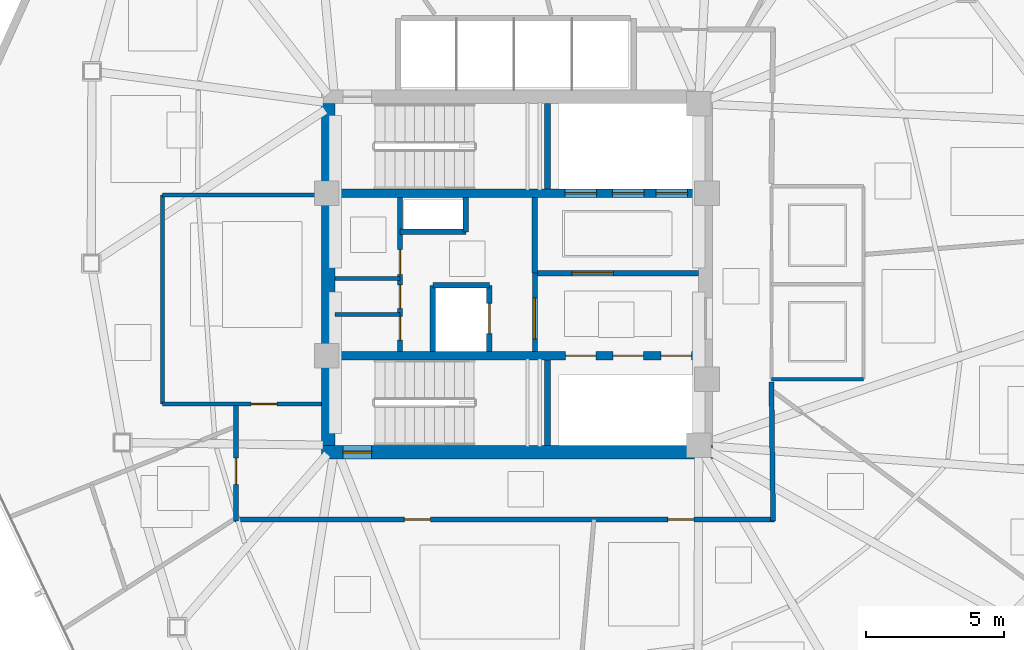
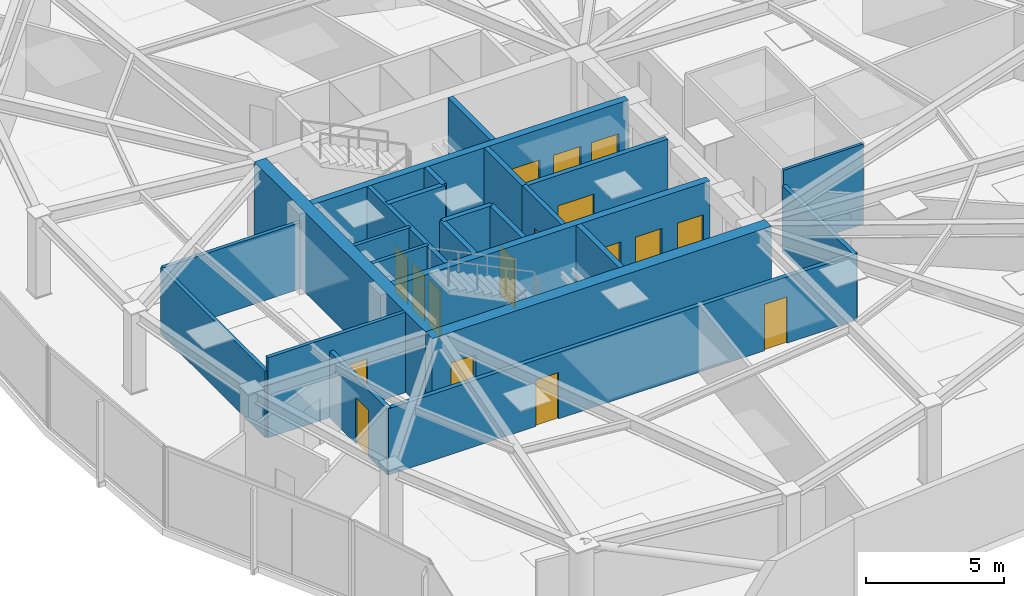
# One storey, part 11 of 17: 24 walls, 17 doors, 17 openings.
"""IFC4 building model written with IfcOpenShell, lengths in metres."""

from ifc_helpers import new_model, si_unit, direction, frame, frame_2d, origin, place, context, subcontext, project, spatial, rectangle, extrude, material, layer, layer_set, type_object, element, fill, save


model = new_model("IFC4")

# Units and contexts
model_context = context("Model", 3, precision=1e-05, world=origin(), true_north=direction((0.0, 1.0)))
body_context = subcontext(model_context, "Body", "Model", "MODEL_VIEW")
ifc_project = project(units=[si_unit("LENGTHUNIT", "METRE"), si_unit("AREAUNIT", "SQUARE_METRE"), si_unit("VOLUMEUNIT", "CUBIC_METRE"), si_unit("PLANEANGLEUNIT", "RADIAN"), si_unit("MASSUNIT", "GRAM", prefix="KILO")], contexts=[model_context])

# Site, building, storey
site_placement = place(None, origin())
site = spatial("IfcSite", under=ifc_project, at=site_placement, CompositionType="ELEMENT")
building_placement = place(site_placement, origin())
building = spatial("IfcBuilding", under=site, at=building_placement, Name="Tavelor Broadcast Tower", CompositionType="ELEMENT")
storey_placement = place(building_placement, frame((0.0, 0.0, 161.800048828125)))
storey = spatial("IfcBuildingStorey", under=building, at=storey_placement, Name="L38", CompositionType="ELEMENT", Elevation=161.800048828125)

# Wall, opening, door
ifc_material_1 = material(Name="Concrete C50/60", Category="concrete")
ifc_layer_1 = layer(ifc_material_1, 0.5)
ifc_layer_set_1 = layer_set([ifc_layer_1], Name="Concrete C50/60")
wall_type_1 = type_object("IfcWallType", Name="Core Shear Wall 500 mm", PredefinedType="SHEAR", material=ifc_layer_set_1)
wall_1_placement = place(storey_placement, frame((42.89990234375, 38.550048828125, 0.0), z_axis=(0.0, 0.0, 1.0), x_axis=(1.0, 0.0, 0.0)))
wall_1 = element("IfcWall", 1, at=wall_1_placement, inside=storey, type_object=wall_type_1, Name="L38 Central Core Shear Wall S", PredefinedType="SHEAR", context=body_context, shape_type="SweptSolid", body=[
    extrude(rectangle(XDim=14.2001953125, YDim=0.5, at=frame_2d((7.10009765625, 0.0))), origin(), (0.0, 0.0, 1.0), 3.550048828125),
])
opening_1_placement = place(wall_1_placement, frame((0.780029296875, 0.0, 0.0)))
opening_1 = element("IfcOpeningElement", 2, at=opening_1_placement, cuts=wall_1, Name="Opening DR11", PredefinedType="OPENING", context=body_context, shape_type="SweptSolid", body=[
    extrude(rectangle(XDim=1.050048828125, YDim=2.199951171875, at=frame_2d((0.52490234375, 1.10009765625))), frame((0.0, 0.260009765625, 0.0), z_axis=(0.0, -1.0, 0.0), x_axis=(1.0, 0.0, 0.0)), (0.0, 0.0, 1.0), 0.52001953125),
])
ifc_material_2 = material(Name="Steel S355", Category="steel")
door_type_1 = type_object("IfcDoorType", Name="Stair Core Fire Escape Door 1050x2200", OperationType="NOTDEFINED", PredefinedType="DOOR", material=ifc_material_2)
door_1_placement = place(opening_1_placement, origin())
door_1 = element("IfcDoor", 3, at=door_1_placement, inside=storey, type_object=door_type_1, Name="L38 Stair ST2 Protected Exit Door", OperationType="SINGLE_SWING_RIGHT", OverallHeight=2.199951171875, OverallWidth=1.050048828125, PredefinedType="DOOR", context=body_context, shape_type="SweptSolid", body=[
    extrude(rectangle(XDim=1.050048828125, YDim=2.199951171875, at=frame_2d((0.52490234375, 1.10009765625))), frame((0.0, 0.02490234375, 0.0), z_axis=(0.0, -1.0, 0.0), x_axis=(1.0, 0.0, 0.0)), (0.0, 0.0, 1.0), 0.050048828125),
])
fill(opening_1, door_1)

# Wall
wall_2_placement = place(storey_placement, frame((43.14990234375, 38.800048828125, 0.0), z_axis=(0.0, 0.0, 1.0), x_axis=(0.0, 1.0, 0.0)))
element("IfcWall", 4, at=wall_2_placement, inside=storey, type_object=wall_type_1, Name="L38 Central Core Shear Wall W", PredefinedType="SHEAR", context=body_context, shape_type="SweptSolid", body=[
    extrude(rectangle(XDim=12.39990234375, YDim=0.5, at=frame_2d((6.199951171875, 0.0))), origin(), (0.0, 0.0, 1.0), 3.550048828125),
])

# Wall, openings, doors
ifc_layer_2 = layer(ifc_material_1, 0.300048828125)
ifc_layer_set_2 = layer_set([ifc_layer_2], Name="Concrete C50/60")
wall_type_2 = type_object("IfcWallType", Name="Core Spine Shear Wall 300 mm C50", PredefinedType="SHEAR", material=ifc_layer_set_2)
wall_3_placement = place(storey_placement, frame((43.39990234375, 47.949951171875, 0.0), z_axis=(0.0, 0.0, 1.0), x_axis=(1.0, 0.0, 0.0)))
wall_3 = element("IfcWall", 5, at=wall_3_placement, inside=storey, type_object=wall_type_2, Name="L38 Central Core Shear Wall SP1", PredefinedType="SHEAR", context=body_context, shape_type="SweptSolid", body=[
    extrude(rectangle(XDim=13.2001953125, YDim=0.300048828125, at=frame_2d((6.60009765625, 0.0))), origin(), (0.0, 0.0, 1.0), 3.550048828125),
])
opening_2_placement = place(wall_3_placement, frame((8.344970703125, 0.0, 0.0)))
opening_2 = element("IfcOpeningElement", 6, at=opening_2_placement, cuts=wall_3, Name="Opening LD02", PredefinedType="OPENING", context=body_context, shape_type="SweptSolid", body=[
    extrude(rectangle(XDim=1.14990234375, YDim=2.199951171875, at=frame_2d((0.574951171875, 1.10009765625))), frame((0.0, 0.16015625, 0.0), z_axis=(0.0, -1.0, 0.0), x_axis=(1.0, 0.0, 0.0)), (0.0, 0.0, 1.0), 0.320068359375),
])
opening_3_placement = place(wall_3_placement, frame((10.06494140625, 0.0, 0.0)))
opening_3 = element("IfcOpeningElement", 7, at=opening_3_placement, cuts=wall_3, Name="Opening LD02", PredefinedType="OPENING", context=body_context, shape_type="SweptSolid", body=[
    extrude(rectangle(XDim=1.14990234375, YDim=2.199951171875, at=frame_2d((0.574951171875, 1.10009765625))), frame((0.0, 0.16015625, 0.0), z_axis=(0.0, -1.0, 0.0), x_axis=(1.0, 0.0, 0.0)), (0.0, 0.0, 1.0), 0.320068359375),
])
opening_4_placement = place(wall_3_placement, frame((11.64501953125, 0.0, 0.0)))
opening_4 = element("IfcOpeningElement", 8, at=opening_4_placement, cuts=wall_3, Name="Opening LD03", PredefinedType="OPENING", context=body_context, shape_type="SweptSolid", body=[
    extrude(rectangle(XDim=1.14990234375, YDim=2.199951171875, at=frame_2d((0.574951171875, 1.10009765625))), frame((0.0, 0.16015625, 0.0), z_axis=(0.0, -1.0, 0.0), x_axis=(1.0, 0.0, 0.0)), (0.0, 0.0, 1.0), 0.320068359375),
])
ifc_material_3 = material(Name="Reinforced Brushed Stainless Steel", Category="concrete")
door_type_2 = type_object("IfcDoorType", Name="Broadcast Goods Lift Sliding Landing Door 1250x2200", OperationType="NOTDEFINED", PredefinedType="DOOR", material=ifc_material_3)
door_2_placement = place(opening_4_placement, origin())
door_2 = element("IfcDoor", 9, at=door_2_placement, inside=storey, type_object=door_type_2, Name="L38 Lift SVL1 Sliding Landing Door", OperationType="SLIDING_TO_LEFT", OverallHeight=2.199951171875, OverallWidth=1.14990234375, PredefinedType="DOOR", context=body_context, shape_type="SweptSolid", body=[
    extrude(rectangle(XDim=1.14990234375, YDim=2.199951171875, at=frame_2d((0.574951171875, 1.10009765625))), frame((0.0, 0.02490234375, 0.0), z_axis=(0.0, -1.0, 0.0), x_axis=(1.0, 0.0, 0.0)), (0.0, 0.0, 1.0), 0.050048828125),
])
fill(opening_4, door_2)
ifc_material_4 = material(Name="Fire-Rated Stainless Steel", Category="steel")
door_type_3 = type_object("IfcDoorType", Name="Firefighting Lift Sliding Landing Door 1200x2200", OperationType="NOTDEFINED", PredefinedType="DOOR", material=ifc_material_4)
door_3_placement = place(opening_2_placement, origin())
door_3 = element("IfcDoor", 10, at=door_3_placement, inside=storey, type_object=door_type_3, Name="L38 Lift FFL1 Sliding Landing Door", OperationType="SLIDING_TO_LEFT", OverallHeight=2.199951171875, OverallWidth=1.14990234375, PredefinedType="DOOR", context=body_context, shape_type="SweptSolid", body=[
    extrude(rectangle(XDim=1.14990234375, YDim=2.199951171875, at=frame_2d((0.574951171875, 1.10009765625))), frame((0.0, 0.02490234375, 0.0), z_axis=(0.0, -1.0, 0.0), x_axis=(1.0, 0.0, 0.0)), (0.0, 0.0, 1.0), 0.050048828125),
])
fill(opening_2, door_3)
door_4_placement = place(opening_3_placement, origin())
door_4 = element("IfcDoor", 11, at=door_4_placement, inside=storey, type_object=door_type_3, Name="L38 Lift FFL2 Sliding Landing Door", OperationType="SLIDING_TO_LEFT", OverallHeight=2.199951171875, OverallWidth=1.14990234375, PredefinedType="DOOR", context=body_context, shape_type="SweptSolid", body=[
    extrude(rectangle(XDim=1.14990234375, YDim=2.199951171875, at=frame_2d((0.574951171875, 1.10009765625))), frame((0.0, 0.02490234375, 0.0), z_axis=(0.0, -1.0, 0.0), x_axis=(1.0, 0.0, 0.0)), (0.0, 0.0, 1.0), 0.050048828125),
])
fill(opening_3, door_4)

wall_4_placement = place(storey_placement, frame((43.39990234375, 42.050048828125, 0.0), z_axis=(0.0, 0.0, 1.0), x_axis=(1.0, 0.0, 0.0)))
wall_4 = element("IfcWall", 12, at=wall_4_placement, inside=storey, type_object=wall_type_2, Name="L38 Central Core Shear Wall SP2", PredefinedType="SHEAR", context=body_context, shape_type="SweptSolid", body=[
    extrude(rectangle(XDim=13.2001953125, YDim=0.300048828125, at=frame_2d((6.60009765625, 0.0))), origin(), (0.0, 0.0, 1.0), 3.550048828125),
])
opening_5_placement = place(wall_4_placement, frame((8.3701171875, 0.0, 0.0)))
opening_5 = element("IfcOpeningElement", 13, at=opening_5_placement, cuts=wall_4, Name="Opening LD01", PredefinedType="OPENING", context=body_context, shape_type="SweptSolid", body=[
    extrude(rectangle(XDim=1.10009765625, YDim=2.14990234375, at=frame_2d((0.550048828125, 1.074951171875))), frame((0.0, 0.16015625, 0.0), z_axis=(0.0, -1.0, 0.0), x_axis=(1.0, 0.0, 0.0)), (0.0, 0.0, 1.0), 0.320068359375),
])
opening_6_placement = place(wall_4_placement, frame((10.090087890625, 0.0, 0.0)))
opening_6 = element("IfcOpeningElement", 14, at=opening_6_placement, cuts=wall_4, Name="Opening LD01", PredefinedType="OPENING", context=body_context, shape_type="SweptSolid", body=[
    extrude(rectangle(XDim=1.10009765625, YDim=2.14990234375, at=frame_2d((0.550048828125, 1.074951171875))), frame((0.0, 0.16015625, 0.0), z_axis=(0.0, -1.0, 0.0), x_axis=(1.0, 0.0, 0.0)), (0.0, 0.0, 1.0), 0.320068359375),
])
opening_7_placement = place(wall_4_placement, frame((11.830078125, 0.0, 0.0)))
opening_7 = element("IfcOpeningElement", 15, at=opening_7_placement, cuts=wall_4, Name="Opening LD01", PredefinedType="OPENING", context=body_context, shape_type="SweptSolid", body=[
    extrude(rectangle(XDim=1.10009765625, YDim=2.14990234375, at=frame_2d((0.550048828125, 1.074951171875))), frame((0.0, 0.16015625, 0.0), z_axis=(0.0, -1.0, 0.0), x_axis=(1.0, 0.0, 0.0)), (0.0, 0.0, 1.0), 0.320068359375),
])
ifc_material_5 = material(Name="Brushed Stainless Steel", Category="steel")
door_type_4 = type_object("IfcDoorType", Name="Passenger Lift Sliding Landing Door 1100x2150", OperationType="NOTDEFINED", PredefinedType="DOOR", material=ifc_material_5)
door_5_placement = place(opening_5_placement, origin())
door_5 = element("IfcDoor", 16, at=door_5_placement, inside=storey, type_object=door_type_4, Name="L38 Lift PLM1 Sliding Landing Door", OperationType="SLIDING_TO_LEFT", OverallHeight=2.14990234375, OverallWidth=1.10009765625, PredefinedType="DOOR", context=body_context, shape_type="SweptSolid", body=[
    extrude(rectangle(XDim=1.10009765625, YDim=2.14990234375, at=frame_2d((0.550048828125, 1.074951171875))), frame((0.0, 0.02490234375, 0.0), z_axis=(0.0, -1.0, 0.0), x_axis=(1.0, 0.0, 0.0)), (0.0, 0.0, 1.0), 0.050048828125),
])
fill(opening_5, door_5)
door_6_placement = place(opening_6_placement, origin())
door_6 = element("IfcDoor", 17, at=door_6_placement, inside=storey, type_object=door_type_4, Name="L38 Lift PLM2 Sliding Landing Door", OperationType="SLIDING_TO_LEFT", OverallHeight=2.14990234375, OverallWidth=1.10009765625, PredefinedType="DOOR", context=body_context, shape_type="SweptSolid", body=[
    extrude(rectangle(XDim=1.10009765625, YDim=2.14990234375, at=frame_2d((0.550048828125, 1.074951171875))), frame((0.0, 0.02490234375, 0.0), z_axis=(0.0, -1.0, 0.0), x_axis=(1.0, 0.0, 0.0)), (0.0, 0.0, 1.0), 0.050048828125),
])
fill(opening_6, door_6)
door_7_placement = place(opening_7_placement, origin())
door_7 = element("IfcDoor", 18, at=door_7_placement, inside=storey, type_object=door_type_4, Name="L38 Lift PLM3 Sliding Landing Door", OperationType="SLIDING_TO_LEFT", OverallHeight=2.14990234375, OverallWidth=1.10009765625, PredefinedType="DOOR", context=body_context, shape_type="SweptSolid", body=[
    extrude(rectangle(XDim=1.10009765625, YDim=2.14990234375, at=frame_2d((0.550048828125, 1.074951171875))), frame((0.0, 0.02490234375, 0.0), z_axis=(0.0, -1.0, 0.0), x_axis=(1.0, 0.0, 0.0)), (0.0, 0.0, 1.0), 0.050048828125),
])
fill(opening_7, door_7)

# Wall, opening, door
ifc_material_6 = material(Name="Calcium Silicate Fire Board 180 mm", Category="gypsum")
ifc_layer_3 = layer(ifc_material_6, 0.179931640625)
ifc_layer_set_3 = layer_set([ifc_layer_3], Name="Calcium Silicate Fire Board 180 mm")
wall_type_3 = type_object("IfcWallType", Name="Fire-Rated Corridor Partition Wall 180 mm", PredefinedType="PARTITIONING", material=ifc_layer_set_3)
wall_5_placement = place(storey_placement, frame((50.64990234375, 42.199951171875, 0.0), z_axis=(0.0, 0.0, 1.0), x_axis=(0.0, 1.0, 0.0)))
wall_5 = element("IfcWall", 19, at=wall_5_placement, inside=storey, type_object=wall_type_3, Name="L38 Core Lobby Zoning Wall", PredefinedType="PARTITIONING", context=body_context, shape_type="SweptSolid", body=[
    extrude(rectangle(XDim=2.85009765625, YDim=0.179931640625, at=frame_2d((1.425048828125, 0.0))), origin(), (0.0, 0.0, 1.0), 3.550048828125),
])
opening_8_placement = place(wall_5_placement, frame((0.449951171875, 0.0, 0.0)))
opening_8 = element("IfcOpeningElement", 20, at=opening_8_placement, cuts=wall_5, Name="Opening DR14", PredefinedType="OPENING", context=body_context, shape_type="SweptSolid", body=[
    extrude(rectangle(XDim=1.5, YDim=2.199951171875, at=frame_2d((0.75, 1.10009765625))), frame((0.0, 0.10009765625, 0.0), z_axis=(0.0, -1.0, 0.0), x_axis=(1.0, 0.0, 0.0)), (0.0, 0.0, 1.0), 0.199951171875),
])
door_type_5 = type_object("IfcDoorType", Name="Firefighting Lobby Double Fire Door 1500x2200", OperationType="NOTDEFINED", PredefinedType="DOOR", material=ifc_material_2)
door_8_placement = place(opening_8_placement, origin())
door_8 = element("IfcDoor", 21, at=door_8_placement, inside=storey, type_object=door_type_5, Name="L38 Core West Lobby Double Fire Door", OperationType="SINGLE_SWING_LEFT", OverallHeight=2.199951171875, OverallWidth=1.5, PredefinedType="DOOR", context=body_context, shape_type="SweptSolid", body=[
    extrude(rectangle(XDim=1.5, YDim=2.199951171875, at=frame_2d((0.75, 1.10009765625))), frame((0.0, 0.02490234375, 0.0), z_axis=(0.0, -1.0, 0.0), x_axis=(1.0, 0.0, 0.0)), (0.0, 0.0, 1.0), 0.050048828125),
])
fill(opening_8, door_8)

# Wall, openings, doors
wall_6_placement = place(storey_placement, frame((45.75, 42.199951171875, 0.0), z_axis=(0.0, 0.0, 1.0), x_axis=(0.0, 1.0, 0.0)))
wall_6 = element("IfcWall", 22, at=wall_6_placement, inside=storey, type_object=wall_type_3, Name="L38 Core West Service East Wall", PredefinedType="PARTITIONING", context=body_context, shape_type="SweptSolid", body=[
    extrude(rectangle(XDim=5.60009765625, YDim=0.179931640625, at=frame_2d((2.800048828125, 0.0))), origin(), (0.0, 0.0, 1.0), 3.550048828125),
])
opening_9_placement = place(wall_6_placement, frame((0.419921875, 0.0, 0.0)))
opening_9 = element("IfcOpeningElement", 23, at=opening_9_placement, cuts=wall_6, Name="Opening DR36", PredefinedType="OPENING", context=body_context, shape_type="SweptSolid", body=[
    extrude(rectangle(XDim=0.85009765625, YDim=2.050048828125, at=frame_2d((0.425048828125, 1.02490234375))), frame((0.0, 0.10009765625, 0.0), z_axis=(0.0, -1.0, 0.0), x_axis=(1.0, 0.0, 0.0)), (0.0, 0.0, 1.0), 0.199951171875),
])
opening_10_placement = place(wall_6_placement, frame((1.570068359375, 0.0, 0.0)))
opening_10 = element("IfcOpeningElement", 24, at=opening_10_placement, cuts=wall_6, Name="Opening DR36", PredefinedType="OPENING", context=body_context, shape_type="SweptSolid", body=[
    extrude(rectangle(XDim=0.85009765625, YDim=2.050048828125, at=frame_2d((0.425048828125, 1.02490234375))), frame((0.0, 0.10009765625, 0.0), z_axis=(0.0, -1.0, 0.0), x_axis=(1.0, 0.0, 0.0)), (0.0, 0.0, 1.0), 0.199951171875),
])
opening_11_placement = place(wall_6_placement, frame((2.800048828125, 0.0, 0.0)))
opening_11 = element("IfcOpeningElement", 25, at=opening_11_placement, cuts=wall_6, Name="Opening DR32", PredefinedType="OPENING", context=body_context, shape_type="SweptSolid", body=[
    extrude(rectangle(XDim=0.89990234375, YDim=2.050048828125, at=frame_2d((0.449951171875, 1.02490234375))), frame((0.0, 0.10009765625, 0.0), z_axis=(0.0, -1.0, 0.0), x_axis=(1.0, 0.0, 0.0)), (0.0, 0.0, 1.0), 0.199951171875),
])
ifc_material_7 = material(Name="Timber Solid Core Hardwood", Category="wood")
door_type_6 = type_object("IfcDoorType", Name="Accessible Washroom Door 900x2050", OperationType="NOTDEFINED", PredefinedType="DOOR", material=ifc_material_7)
door_9_placement = place(opening_11_placement, origin())
door_9 = element("IfcDoor", 26, at=door_9_placement, inside=storey, type_object=door_type_6, Name="L38 Core Accessible WC Door", OperationType="SINGLE_SWING_LEFT", OverallHeight=2.050048828125, OverallWidth=0.89990234375, PredefinedType="DOOR", context=body_context, shape_type="SweptSolid", body=[
    extrude(rectangle(XDim=0.89990234375, YDim=2.050048828125, at=frame_2d((0.449951171875, 1.02490234375))), frame((0.0, 0.02490234375, 0.0), z_axis=(0.0, -1.0, 0.0), x_axis=(1.0, 0.0, 0.0)), (0.0, 0.0, 1.0), 0.050048828125),
])
fill(opening_11, door_9)
door_type_7 = type_object("IfcDoorType", Name="Service Room Fire Door 850x2050", OperationType="NOTDEFINED", PredefinedType="DOOR", material=ifc_material_2)
door_10_placement = place(opening_9_placement, origin())
door_10 = element("IfcDoor", 27, at=door_10_placement, inside=storey, type_object=door_type_7, Name="L38 Core Medical Room Door", OperationType="SINGLE_SWING_LEFT", OverallHeight=2.050048828125, OverallWidth=0.85009765625, PredefinedType="DOOR", context=body_context, shape_type="SweptSolid", body=[
    extrude(rectangle(XDim=0.85009765625, YDim=2.050048828125, at=frame_2d((0.425048828125, 1.02490234375))), frame((0.0, 0.02490234375, 0.0), z_axis=(0.0, -1.0, 0.0), x_axis=(1.0, 0.0, 0.0)), (0.0, 0.0, 1.0), 0.050048828125),
])
fill(opening_9, door_10)
door_11_placement = place(opening_10_placement, origin())
door_11 = element("IfcDoor", 28, at=door_11_placement, inside=storey, type_object=door_type_7, Name="L38 Core Copy Room Door", OperationType="SINGLE_SWING_RIGHT", OverallHeight=2.050048828125, OverallWidth=0.85009765625, PredefinedType="DOOR", context=body_context, shape_type="SweptSolid", body=[
    extrude(rectangle(XDim=0.85009765625, YDim=2.050048828125, at=frame_2d((0.425048828125, 1.02490234375))), frame((0.0, 0.02490234375, 0.0), z_axis=(0.0, -1.0, 0.0), x_axis=(1.0, 0.0, 0.0)), (0.0, 0.0, 1.0), 0.050048828125),
])
fill(opening_10, door_11)

# Wall
wall_7_placement = place(storey_placement, frame((59.240478515625, 41.10009765625, 0.0), z_axis=(0.0, 0.0, 1.0), x_axis=(0.011891834917, -0.999929289631, 0.0)))
element("IfcWall", 29, at=wall_7_placement, inside=storey, type_object=wall_type_3, Name="L38 Corridor Compartment Wall 03", PredefinedType="PARTITIONING", context=body_context, shape_type="SweptSolid", body=[
    extrude(rectangle(XDim=5.05029296875, YDim=0.179931640625, at=frame_2d((2.525146484375, 0.0))), origin(), (0.0, 0.0, 1.0), 2.93505859375),
])

# Wall, openings, doors
wall_8_placement = place(storey_placement, frame((59.35009765625, 36.10009765625, 0.0), z_axis=(0.0, 0.0, 1.0), x_axis=(-1.0, 0.0, 0.0)))
wall_8 = element("IfcWall", 30, at=wall_8_placement, inside=storey, type_object=wall_type_3, Name="L38 Corridor Compartment Wall 04", PredefinedType="PARTITIONING", context=body_context, shape_type="SweptSolid", body=[
    extrude(rectangle(XDim=19.60009765625, YDim=0.179931640625, at=frame_2d((9.800048828125, 0.0))), origin(), (0.0, 0.0, 1.0), 2.93505859375),
])
opening_12_placement = place(wall_8_placement, frame((2.923095703125, 0.0, 0.0)))
opening_12 = element("IfcOpeningElement", 31, at=opening_12_placement, cuts=wall_8, Name="Opening DR18", PredefinedType="OPENING", context=body_context, shape_type="SweptSolid", body=[
    extrude(rectangle(XDim=0.949951171875, YDim=2.050048828125, at=frame_2d((0.47509765625, 1.02490234375))), frame((0.0, 0.10009765625, 0.0), z_axis=(0.0, -1.0, 0.0), x_axis=(1.0, 0.0, 0.0)), (0.0, 0.0, 1.0), 0.199951171875),
])
opening_13_placement = place(wall_8_placement, frame((12.48779296875, 0.0, 0.0)))
opening_13 = element("IfcOpeningElement", 32, at=opening_13_placement, cuts=wall_8, Name="Opening DR18", PredefinedType="OPENING", context=body_context, shape_type="SweptSolid", body=[
    extrude(rectangle(XDim=0.949951171875, YDim=2.050048828125, at=frame_2d((0.47509765625, 1.02490234375))), frame((0.0, 0.10009765625, 0.0), z_axis=(0.0, -1.0, 0.0), x_axis=(1.0, 0.0, 0.0)), (0.0, 0.0, 1.0), 0.199951171875),
])
door_type_8 = type_object("IfcDoorType", Name="Corridor Rated Compartment Door 950x2050", OperationType="NOTDEFINED", PredefinedType="DOOR", material=ifc_material_7)
door_12_placement = place(opening_12_placement, origin())
door_12 = element("IfcDoor", 33, at=door_12_placement, inside=storey, type_object=door_type_8, Name="L38 Broadcast Script Study Door R0", OperationType="SINGLE_SWING_LEFT", OverallHeight=2.050048828125, OverallWidth=0.949951171875, PredefinedType="DOOR", context=body_context, shape_type="SweptSolid", body=[
    extrude(rectangle(XDim=0.949951171875, YDim=2.050048828125, at=frame_2d((0.47509765625, 1.02490234375))), frame((0.0, 0.02490234375, 0.0), z_axis=(0.0, -1.0, 0.0), x_axis=(1.0, 0.0, 0.0)), (0.0, 0.0, 1.0), 0.050048828125),
])
fill(opening_12, door_12)
door_13_placement = place(opening_13_placement, origin())
door_13 = element("IfcDoor", 34, at=door_13_placement, inside=storey, type_object=door_type_8, Name="L38 Executive Reading Study Door R1", OperationType="SINGLE_SWING_RIGHT", OverallHeight=2.050048828125, OverallWidth=0.949951171875, PredefinedType="DOOR", context=body_context, shape_type="SweptSolid", body=[
    extrude(rectangle(XDim=0.949951171875, YDim=2.050048828125, at=frame_2d((0.47509765625, 1.02490234375))), frame((0.0, 0.02490234375, 0.0), z_axis=(0.0, -1.0, 0.0), x_axis=(1.0, 0.0, 0.0)), (0.0, 0.0, 1.0), 0.050048828125),
])
fill(opening_13, door_13)

# Wall, opening, door
wall_9_placement = place(storey_placement, frame((39.800048828125, 36.050048828125, 0.0), z_axis=(0.0, 0.0, 1.0), x_axis=(0.0, 1.0, 0.0)))
wall_9 = element("IfcWall", 35, at=wall_9_placement, inside=storey, type_object=wall_type_3, Name="L38 Corridor Compartment Wall 05", PredefinedType="PARTITIONING", context=body_context, shape_type="SweptSolid", body=[
    extrude(rectangle(XDim=4.199951171875, YDim=0.179931640625, at=frame_2d((2.10009765625, 0.0))), origin(), (0.0, 0.0, 1.0), 2.93505859375),
])
opening_14_placement = place(wall_9_placement, frame((1.3330078125, 0.0, 0.0)))
opening_14 = element("IfcOpeningElement", 36, at=opening_14_placement, cuts=wall_9, Name="Opening DR18", PredefinedType="OPENING", context=body_context, shape_type="SweptSolid", body=[
    extrude(rectangle(XDim=0.949951171875, YDim=2.050048828125, at=frame_2d((0.47509765625, 1.02490234375))), frame((0.0, 0.10009765625, 0.0), z_axis=(0.0, -1.0, 0.0), x_axis=(1.0, 0.0, 0.0)), (0.0, 0.0, 1.0), 0.199951171875),
])
door_14_placement = place(opening_14_placement, origin())
door_14 = element("IfcDoor", 37, at=door_14_placement, inside=storey, type_object=door_type_8, Name="L38 International Bureau Office Door R8", OperationType="SINGLE_SWING_LEFT", OverallHeight=2.050048828125, OverallWidth=0.949951171875, PredefinedType="DOOR", context=body_context, shape_type="SweptSolid", body=[
    extrude(rectangle(XDim=0.949951171875, YDim=2.050048828125, at=frame_2d((0.47509765625, 1.02490234375))), frame((0.0, 0.02490234375, 0.0), z_axis=(0.0, -1.0, 0.0), x_axis=(1.0, 0.0, 0.0)), (0.0, 0.0, 1.0), 0.050048828125),
])
fill(opening_14, door_14)

# Walls
ifc_material_8 = material(Name="Gypsum Acoustic Plasterboard 150 mm", Category="gypsum")
ifc_layer_4 = layer(ifc_material_8, 0.14990234375)
ifc_layer_set_4 = layer_set([ifc_layer_4], Name="Gypsum Acoustic Plasterboard 150 mm")
wall_type_4 = type_object("IfcWallType", Name="Interior Acoustic Partition Wall 150 mm", PredefinedType="PARTITIONING", material=ifc_layer_set_4)
for number, where, z_axis, x_axis, name in (
    (38, (43.39990234375, 43.550048828125, 0.0), (0.0, 0.0, 1.0), (1.0, 0.0, 0.0), "L38 Core Split Wall B1"),
    (39, (43.39990234375, 44.85009765625, 0.0), (0.0, 0.0, 1.0), (1.0, 0.0, 0.0), "L38 Core Split Wall B2"),
):
    element("IfcWall", number, at=place(storey_placement, frame(where, z_axis=z_axis, x_axis=x_axis)), inside=storey, type_object=wall_type_4, Name=name, PredefinedType="PARTITIONING", context=body_context, shape_type="SweptSolid", body=[
        extrude(rectangle(XDim=2.35009765625, YDim=0.14990234375, at=frame_2d((1.175048828125, 0.0))), origin(), (0.0, 0.0, 1.0), 3.550048828125),
    ])

# Wall, opening, door
wall_10_placement = place(storey_placement, frame((37.139892578125, 40.300048828125, 0.0), z_axis=(0.0, 0.0, 1.0), x_axis=(1.0, 0.0, 0.0)))
wall_10 = element("IfcWall", 40, at=wall_10_placement, inside=storey, type_object=wall_type_4, Name="L38 Reclaimed Shaft Pantry South Wall", PredefinedType="PARTITIONING", context=body_context, shape_type="SweptSolid", body=[
    extrude(rectangle(XDim=5.760009765625, YDim=0.14990234375, at=frame_2d((2.8798828125, 0.0))), origin(), (0.0, 0.0, 1.0), 3.550048828125),
])
opening_15_placement = place(wall_10_placement, frame((3.2099609375, 0.0, 0.0)))
opening_15 = element("IfcOpeningElement", 41, at=opening_15_placement, cuts=wall_10, Name="Opening DR18", PredefinedType="OPENING", context=body_context, shape_type="SweptSolid", body=[
    extrude(rectangle(XDim=0.949951171875, YDim=2.050048828125, at=frame_2d((0.47509765625, 1.02490234375))), frame((0.0, 0.0849609375, 0.0), z_axis=(0.0, -1.0, 0.0), x_axis=(1.0, 0.0, 0.0)), (0.0, 0.0, 1.0), 0.169921875),
])
door_15_placement = place(opening_15_placement, origin())
door_15 = element("IfcDoor", 42, at=door_15_placement, inside=storey, type_object=door_type_8, Name="L38 Broadcast IT Patch and Pantry Door", OperationType="SINGLE_SWING_LEFT", OverallHeight=2.050048828125, OverallWidth=0.949951171875, PredefinedType="DOOR", context=body_context, shape_type="SweptSolid", body=[
    extrude(rectangle(XDim=0.949951171875, YDim=2.050048828125, at=frame_2d((0.47509765625, 1.02490234375))), frame((0.0, 0.02490234375, 0.0), z_axis=(0.0, -1.0, 0.0), x_axis=(1.0, 0.0, 0.0)), (0.0, 0.0, 1.0), 0.050048828125),
])
fill(opening_15, door_15)

# Walls
wall_11_placement = place(storey_placement, frame((37.139892578125, 40.300048828125, 0.0), z_axis=(0.0, 0.0, 1.0), x_axis=(0.0, 1.0, 0.0)))
element("IfcWall", 43, at=wall_11_placement, inside=storey, type_object=wall_type_4, Name="L38 Reclaimed Shaft Pantry West Wall", PredefinedType="PARTITIONING", context=body_context, shape_type="SweptSolid", body=[
    extrude(rectangle(XDim=7.579833984375, YDim=0.14990234375, at=frame_2d((3.7900390625, 0.0))), origin(), (0.0, 0.0, 1.0), 2.93505859375),
])
wall_12_placement = place(storey_placement, frame((37.139892578125, 47.8798828125, 0.0), z_axis=(0.0, 0.0, 1.0), x_axis=(1.0, 0.0, 0.0)))
element("IfcWall", 44, at=wall_12_placement, inside=storey, type_object=wall_type_4, Name="L38 Reclaimed Shaft Pantry North Wall", PredefinedType="PARTITIONING", context=body_context, shape_type="SweptSolid", body=[
    extrude(rectangle(XDim=5.760009765625, YDim=0.14990234375, at=frame_2d((2.8798828125, 0.0))), origin(), (0.0, 0.0, 1.0), 2.93505859375),
])

# Wall, opening, door
ifc_material_9 = material(Name="Concrete Blockwork 200 mm", Category="masonry")
ifc_layer_5 = layer(ifc_material_9, 0.199951171875)
ifc_layer_set_5 = layer_set([ifc_layer_5], Name="Concrete Blockwork 200 mm")
wall_type_5 = type_object("IfcWallType", Name="Lift Hoistway Rated Front Wall 200 mm", PredefinedType="PARTITIONING", material=ifc_layer_set_5)
wall_13_placement = place(storey_placement, frame((49.0, 42.199951171875, 0.0), z_axis=(0.0, 0.0, 1.0), x_axis=(0.0, 1.0, 0.0)))
wall_13 = element("IfcWall", 45, at=wall_13_placement, inside=storey, type_object=wall_type_5, Name="L38 Mid-Rise Lift PLM4 Hoistway Front Wall", PredefinedType="PARTITIONING", context=body_context, shape_type="SweptSolid", body=[
    extrude(rectangle(XDim=2.400146484375, YDim=0.199951171875, at=frame_2d((1.2001953125, 0.0))), origin(), (0.0, 0.0, 1.0), 3.550048828125),
])
opening_16_placement = place(wall_13_placement, frame((0.64990234375, 0.0, 0.0)))
opening_16 = element("IfcOpeningElement", 46, at=opening_16_placement, cuts=wall_13, Name="Opening LD01", PredefinedType="OPENING", context=body_context, shape_type="SweptSolid", body=[
    extrude(rectangle(XDim=1.10009765625, YDim=2.14990234375, at=frame_2d((0.550048828125, 1.074951171875))), frame((0.0, 0.10986328125, 0.0), z_axis=(0.0, -1.0, 0.0), x_axis=(1.0, 0.0, 0.0)), (0.0, 0.0, 1.0), 0.219970703125),
])
door_16_placement = place(opening_16_placement, origin())
door_16 = element("IfcDoor", 47, at=door_16_placement, inside=storey, type_object=door_type_4, Name="L38 Lift PLM4 Sliding Landing Door", OperationType="SLIDING_TO_RIGHT", OverallHeight=2.14990234375, OverallWidth=1.10009765625, PredefinedType="DOOR", context=body_context, shape_type="SweptSolid", body=[
    extrude(rectangle(XDim=1.10009765625, YDim=2.14990234375, at=frame_2d((0.550048828125, 1.074951171875))), frame((0.0, 0.02490234375, 0.0), z_axis=(0.0, -1.0, 0.0), x_axis=(1.0, 0.0, 0.0)), (0.0, 0.0, 1.0), 0.050048828125),
])
fill(opening_16, door_16)

# Walls
ifc_layer_6 = layer(ifc_material_9, 0.199951171875)
ifc_layer_set_6 = layer_set([ifc_layer_6], Name="Concrete Blockwork 200 mm")
wall_type_6 = type_object("IfcWallType", Name="Lift and Riser Shaft Enclosure Wall 200 mm", PredefinedType="PARTITIONING", material=ifc_layer_set_6)
wall_14_placement = place(storey_placement, frame((45.75, 46.550048828125, 0.0), z_axis=(0.0, 0.0, 1.0), x_axis=(1.0, 0.0, 0.0)))
element("IfcWall", 48, at=wall_14_placement, inside=storey, type_object=wall_type_6, Name="L38 Riser Shaft South Wall", PredefinedType="PARTITIONING", context=body_context, shape_type="SweptSolid", body=[
    extrude(rectangle(XDim=2.39990234375, YDim=0.199951171875, at=frame_2d((1.199951171875, 0.0))), origin(), (0.0, 0.0, 1.0), 3.550048828125),
])
wall_15_placement = place(storey_placement, frame((48.14990234375, 46.550048828125, 0.0), z_axis=(0.0, 0.0, 1.0), x_axis=(0.0, 1.0, 0.0)))
element("IfcWall", 49, at=wall_15_placement, inside=storey, type_object=wall_type_6, Name="L38 Riser Shaft East Wall", PredefinedType="PARTITIONING", context=body_context, shape_type="SweptSolid", body=[
    extrude(rectangle(XDim=1.25, YDim=0.199951171875, at=frame_2d((0.625, 0.0))), origin(), (0.0, 0.0, 1.0), 3.550048828125),
])
wall_16_placement = place(storey_placement, frame((46.949951171875, 42.199951171875, 0.0), z_axis=(0.0, 0.0, 1.0), x_axis=(0.0, 1.0, 0.0)))
element("IfcWall", 50, at=wall_16_placement, inside=storey, type_object=wall_type_6, Name="L38 Mid-Rise Lift PLM4 West Wall", PredefinedType="PARTITIONING", context=body_context, shape_type="SweptSolid", body=[
    extrude(rectangle(XDim=2.400146484375, YDim=0.199951171875, at=frame_2d((1.2001953125, 0.0))), origin(), (0.0, 0.0, 1.0), 3.550048828125),
])
wall_17_placement = place(storey_placement, frame((46.949951171875, 44.60009765625, 0.0), z_axis=(0.0, 0.0, 1.0), x_axis=(1.0, 0.0, 0.0)))
element("IfcWall", 51, at=wall_17_placement, inside=storey, type_object=wall_type_6, Name="L38 Mid-Rise Lift PLM4 North Wall", PredefinedType="PARTITIONING", context=body_context, shape_type="SweptSolid", body=[
    extrude(rectangle(XDim=2.050048828125, YDim=0.199951171875, at=frame_2d((1.02490234375, 0.0))), origin(), (0.0, 0.0, 1.0), 3.550048828125),
])

# Wall, opening, door
wall_18_placement = place(storey_placement, frame((50.64990234375, 45.050048828125, 0.0), z_axis=(0.0, 0.0, 1.0), x_axis=(1.0, 0.0, 0.0)))
wall_18 = element("IfcWall", 52, at=wall_18_placement, inside=storey, type_object=wall_type_6, Name="L38 Firefighting Lobby South Wall", PredefinedType="PARTITIONING", context=body_context, shape_type="SweptSolid", body=[
    extrude(rectangle(XDim=5.9501953125, YDim=0.199951171875, at=frame_2d((2.97509765625, 0.0))), origin(), (0.0, 0.0, 1.0), 3.550048828125),
])
opening_17_placement = place(wall_18_placement, frame((1.35009765625, 0.0, 0.0)))
opening_17 = element("IfcOpeningElement", 53, at=opening_17_placement, cuts=wall_18, Name="Opening DR14", PredefinedType="OPENING", context=body_context, shape_type="SweptSolid", body=[
    extrude(rectangle(XDim=1.5, YDim=2.199951171875, at=frame_2d((0.75, 1.10009765625))), frame((0.0, 0.10986328125, 0.0), z_axis=(0.0, -1.0, 0.0), x_axis=(1.0, 0.0, 0.0)), (0.0, 0.0, 1.0), 0.219970703125),
])
door_17_placement = place(opening_17_placement, origin())
door_17 = element("IfcDoor", 54, at=door_17_placement, inside=storey, type_object=door_type_5, Name="L38 Firefighting Lobby Compartment Door", OperationType="SINGLE_SWING_RIGHT", OverallHeight=2.199951171875, OverallWidth=1.5, PredefinedType="DOOR", context=body_context, shape_type="SweptSolid", body=[
    extrude(rectangle(XDim=1.5, YDim=2.199951171875, at=frame_2d((0.75, 1.10009765625))), frame((0.0, 0.02490234375, 0.0), z_axis=(0.0, -1.0, 0.0), x_axis=(1.0, 0.0, 0.0)), (0.0, 0.0, 1.0), 0.050048828125),
])
fill(opening_17, door_17)

# Walls
wall_19_placement = place(storey_placement, frame((50.64990234375, 45.050048828125, 0.0), z_axis=(0.0, 0.0, 1.0), x_axis=(0.0, 1.0, 0.0)))
element("IfcWall", 55, at=wall_19_placement, inside=storey, type_object=wall_type_6, Name="L38 Firefighting Lobby West Wall", PredefinedType="PARTITIONING", context=body_context, shape_type="SweptSolid", body=[
    extrude(rectangle(XDim=2.75, YDim=0.199951171875, at=frame_2d((1.375, 0.0))), origin(), (0.0, 0.0, 1.0), 3.550048828125),
])
ifc_material_10 = material(Name="Moisture-Resistant Plasterboard 120 mm", Category="gypsum")
ifc_layer_7 = layer(ifc_material_10, 0.1201171875)
ifc_layer_set_7 = layer_set([ifc_layer_7], Name="Moisture-Resistant Plasterboard 120 mm")
wall_type_7 = type_object("IfcWallType", Name="Moisture-Resistant Wet-Room Partition 120 mm", PredefinedType="PARTITIONING", material=ifc_layer_set_7)
wall_20_placement = place(storey_placement, frame((59.239990234375, 41.199951171875, 0.0), z_axis=(0.0, 0.0, 1.0), x_axis=(1.0, 0.0, 0.0)))
element("IfcWall", 56, at=wall_20_placement, inside=storey, type_object=wall_type_7, Name="L38 Floor Washrooms South Wall", PredefinedType="PARTITIONING", context=body_context, shape_type="SweptSolid", body=[
    extrude(rectangle(XDim=3.340087890625, YDim=0.1201171875, at=frame_2d((1.669921875, 0.0))), origin(), (0.0, 0.0, 1.0), 3.550048828125),
])
ifc_material_11 = material(Name="Concrete C40/50", Category="concrete")
ifc_layer_8 = layer(ifc_material_11, 0.219970703125)
ifc_layer_set_8 = layer_set([ifc_layer_8], Name="Concrete C40/50")
wall_type_8 = type_object("IfcWallType", Name="Structural Stairwell Shear Wall 220 mm", PredefinedType="SHEAR", material=ifc_layer_set_8)
for number, where, z_axis, x_axis, name in (
    (57, (51.110107421875, 48.10009765625, 0.0), (0.0, 0.0, 1.0), (0.0, 1.0, 0.0), "L38 Stair ST1 Structural Shaft Wall"),
    (58, (51.110107421875, 38.800048828125, 0.0), (0.0, 0.0, 1.0), (0.0, 1.0, 0.0), "L38 Stair ST2 Structural Shaft Wall"),
):
    element("IfcWall", number, at=place(storey_placement, frame(where, z_axis=z_axis, x_axis=x_axis)), inside=storey, type_object=wall_type_8, Name=name, PredefinedType="SHEAR", context=body_context, shape_type="SweptSolid", body=[
        extrude(rectangle(XDim=3.099853515625, YDim=0.219970703125, at=frame_2d((1.5498046875, 0.0))), origin(), (0.0, 0.0, 1.0), 3.550048828125),
    ])

save(model, "model.ifc")
